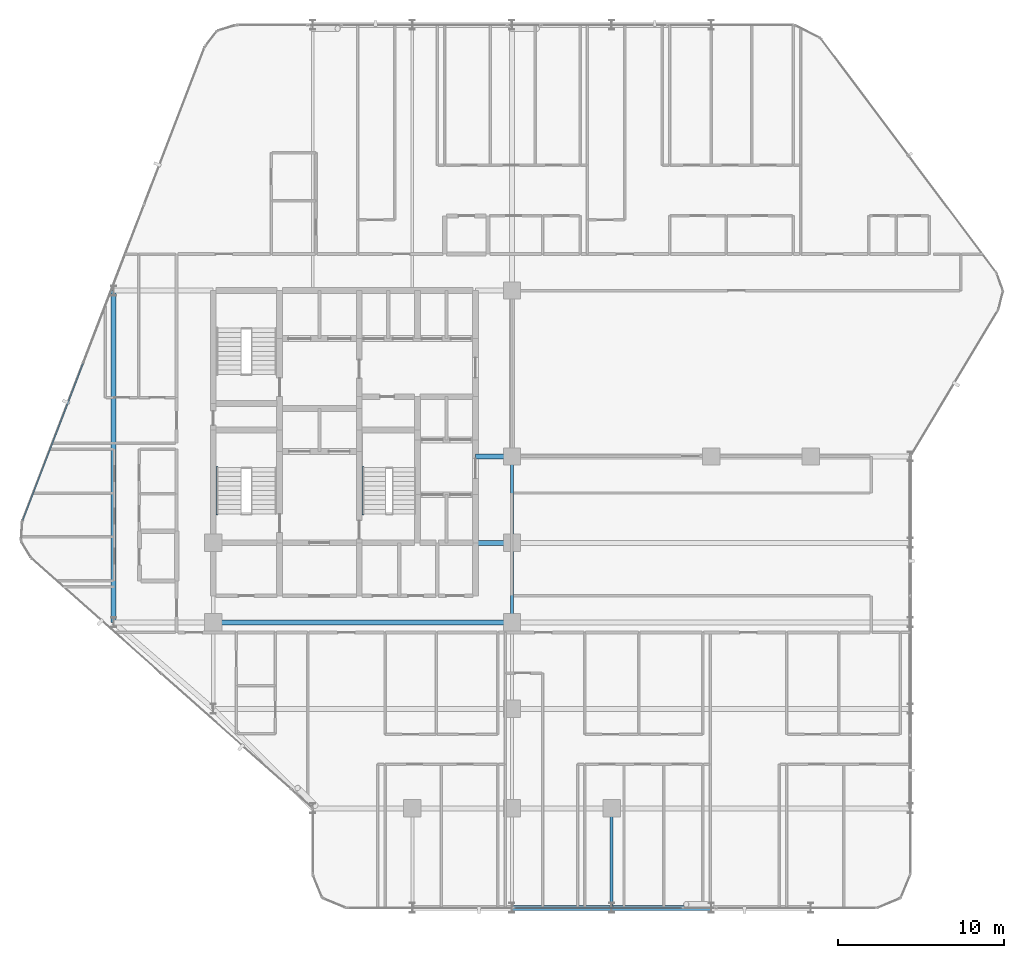
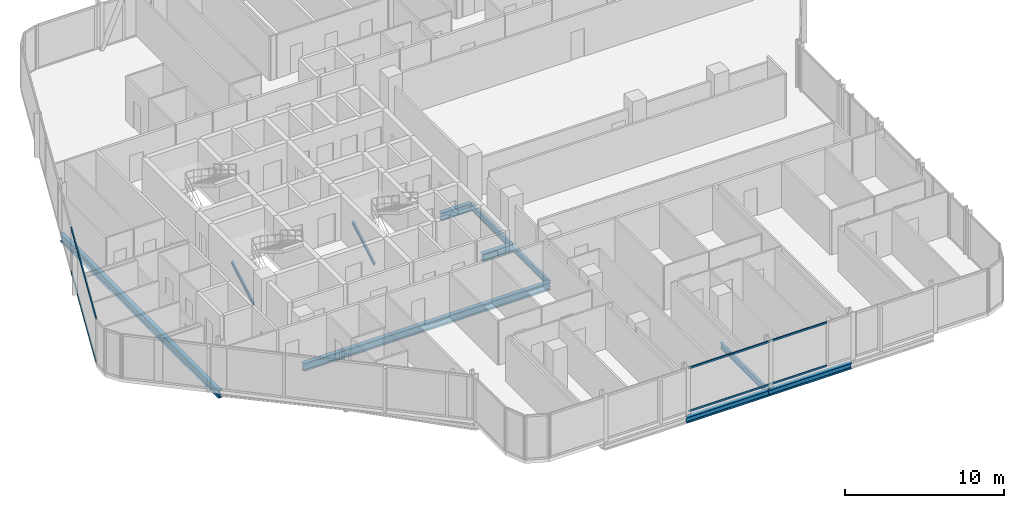
# One storey, part 7 of 29: 9 beams, 6 members, 2 elements without a shape of their own.
"""IFC4 building model written with IfcOpenShell, lengths in metres."""

from ifc_helpers import new_model, si_unit, direction, frame, origin, origin_2d, place, context, subcontext, project, spatial, hollow_rectangle, i_section, extrude, material, layer, layer_set, material_profile, profile_set, type_object, element, aggregate, save


model = new_model("IFC4")

# Units and contexts
model_context = context("Model", 3, precision=1e-05, world=origin(), true_north=direction((0.0, 1.0)))
body_context = subcontext(model_context, "Body", "Model", "MODEL_VIEW")
ifc_project = project(units=[si_unit("LENGTHUNIT", "METRE"), si_unit("AREAUNIT", "SQUARE_METRE"), si_unit("VOLUMEUNIT", "CUBIC_METRE"), si_unit("PLANEANGLEUNIT", "RADIAN"), si_unit("MASSUNIT", "GRAM", prefix="KILO")], contexts=[model_context])

# Site, building, storey
site_placement = place(None, origin())
site = spatial("IfcSite", under=ifc_project, at=site_placement, CompositionType="ELEMENT")
building_placement = place(site_placement, origin())
building = spatial("IfcBuilding", under=site, at=building_placement, Name="Keshet Zoharim Tower", CompositionType="ELEMENT")
storey_placement = place(building_placement, frame((0.0, 0.0, 94.60009765625)))
storey = spatial("IfcBuildingStorey", under=building, at=storey_placement, Name="L22", CompositionType="ELEMENT", Elevation=94.60009765625)

# Beams
ifc_material_1 = material(Name="Steel S355", Category="steel")
ifc_material_profile_1 = material_profile(ifc_material_1, i_section(OverallWidth=0.300048828125, OverallDepth=0.60009765625, WebThickness=0.015380859375, FlangeThickness=0.030029296875, FilletRadius=0.027099609375, at=origin_2d()), Name="HEB600")
ifc_profile_set_1 = profile_set([ifc_material_profile_1], Name="Steel S355")
beam_type_1 = type_object("IfcBeamType", Name="BM-CLK-HB600", PredefinedType="BEAM", material=ifc_profile_set_1)
for number, where, z_axis, x_axis, name in (
    (1, (30.800048828125, 22.699951171875, -0.614990234375), (1.0, 0.0, 0.0), (0.0, 1.0, 0.0), "L22 Core Wall Link Girder 01"),
    (2, (30.800048828125, 27.89990234375, -0.614990234375), (1.0, 0.0, 0.0), (0.0, 1.0, 0.0), "L22 Core Wall Link Girder 02"),
):
    element("IfcBeam", number, at=place(storey_placement, frame(where, z_axis=z_axis, x_axis=x_axis)), inside=storey, type_object=beam_type_1, Name=name, PredefinedType="BEAM", context=body_context, shape_type="SweptSolid", body=[
        extrude(i_section(OverallWidth=0.300048828125, OverallDepth=0.60009765625, WebThickness=0.015380859375, FlangeThickness=0.030029296875, FilletRadius=0.027099609375, at=origin_2d()), origin(), (0.0, 0.0, 1.0), 2.199951171875),
    ])
ifc_material_profile_2 = material_profile(ifc_material_1, i_section(OverallWidth=0.300048828125, OverallDepth=0.60009765625, WebThickness=0.015380859375, FlangeThickness=0.030029296875, FilletRadius=0.027099609375, at=origin_2d()), Name="HEB600")
ifc_profile_set_2 = profile_set([ifc_material_profile_2], Name="Steel S355")
beam_type_2 = type_object("IfcBeamType", Name="BM-LNG-HB600", PredefinedType="BEAM", material=ifc_profile_set_2)
beam_1_placement = place(storey_placement, frame((15.0, 17.89990234375, -0.614990234375), z_axis=(1.0, 0.0, 0.0), x_axis=(0.0, 1.0, 0.0)))
element("IfcBeam", 3, at=beam_1_placement, inside=storey, type_object=beam_type_2, Name="L22 Primary Girder X-012", PredefinedType="BEAM", context=body_context, shape_type="SweptSolid", body=[
    extrude(i_section(OverallWidth=0.300048828125, OverallDepth=0.60009765625, WebThickness=0.015380859375, FlangeThickness=0.030029296875, FilletRadius=0.027099609375, at=origin_2d()), origin(), (0.0, 0.0, 1.0), 18.0),
])
beam_2_placement = place(storey_placement, frame((9.0, 17.89990234375, -0.614990234375), z_axis=(0.0, 1.0, 0.0), x_axis=(-1.0, 0.0, 0.0)))
element("IfcBeam", 4, at=beam_2_placement, inside=storey, type_object=beam_type_2, Name="L22 Primary Girder Y-001", PredefinedType="BEAM", context=body_context, shape_type="SweptSolid", body=[
    extrude(i_section(OverallWidth=0.300048828125, OverallDepth=0.60009765625, WebThickness=0.015380859375, FlangeThickness=0.030029296875, FilletRadius=0.027099609375, at=origin_2d()), origin(), (0.0, 0.0, 1.0), 20.0),
])
ifc_material_profile_3 = material_profile(ifc_material_1, i_section(OverallWidth=0.18994140625, OverallDepth=0.449951171875, WebThickness=0.009521484375, FlangeThickness=0.0146484375, FilletRadius=0.02099609375, at=origin_2d()), Name="IPE450")
ifc_profile_set_3 = profile_set([ifc_material_profile_3], Name="Steel S355")
beam_type_3 = type_object("IfcBeamType", Name="BM-PRI-IP450", PredefinedType="BEAM", material=ifc_profile_set_3)
beam_3_placement = place(storey_placement, frame((33.0, 17.89990234375, -0.5400390625), z_axis=(0.0, 1.0, 0.0), x_axis=(-1.0, 0.0, 0.0)))
element("IfcBeam", 5, at=beam_3_placement, inside=storey, type_object=beam_type_3, Name="L22 Primary Girder Y-008", PredefinedType="BEAM", context=body_context, shape_type="SweptSolid", body=[
    extrude(i_section(OverallWidth=0.18994140625, OverallDepth=0.449951171875, WebThickness=0.009521484375, FlangeThickness=0.0146484375, FilletRadius=0.02099609375, at=origin_2d()), origin(), (0.0, 0.0, 1.0), 4.800048828125),
])
beam_4_placement = place(storey_placement, frame((33.0, 22.699951171875, -0.5400390625), z_axis=(0.0, 1.0, 0.0), x_axis=(-1.0, 0.0, 0.0)))
element("IfcBeam", 6, at=beam_4_placement, inside=storey, type_object=beam_type_3, Name="L22 Primary Girder Y-009", PredefinedType="BEAM", context=body_context, shape_type="SweptSolid", body=[
    extrude(i_section(OverallWidth=0.18994140625, OverallDepth=0.449951171875, WebThickness=0.009521484375, FlangeThickness=0.0146484375, FilletRadius=0.02099609375, at=origin_2d()), origin(), (0.0, 0.0, 1.0), 5.199951171875),
])
beam_5_placement = place(storey_placement, frame((39.0, 0.699951171875, -0.5400390625), z_axis=(0.0, 1.0, 0.0), x_axis=(-1.0, 0.0, 0.0)))
element("IfcBeam", 7, at=beam_5_placement, inside=storey, type_object=beam_type_3, Name="L22 Primary Girder Y-012", PredefinedType="BEAM", context=body_context, shape_type="SweptSolid", body=[
    extrude(i_section(OverallWidth=0.18994140625, OverallDepth=0.449951171875, WebThickness=0.009521484375, FlangeThickness=0.0146484375, FilletRadius=0.02099609375, at=origin_2d()), origin(), (0.0, 0.0, 1.0), 6.0),
])
ifc_material_profile_4 = material_profile(ifc_material_1, i_section(OverallWidth=0.300048828125, OverallDepth=0.449951171875, WebThickness=0.013916015625, FlangeThickness=0.02587890625, FilletRadius=0.027099609375, at=origin_2d()), Name="HEB450")
ifc_profile_set_4 = profile_set([ifc_material_profile_4], Name="Steel S355")
beam_type_4 = type_object("IfcBeamType", Name="BM-WEB-HB450", PredefinedType="BEAM", material=ifc_profile_set_4)
for number, where, z_axis, x_axis, name in (
    (8, (33.0, 0.699951171875, -0.5400390625), (1.0, 0.0, 0.0), (0.0, 1.0, 0.0), "L22 Primary Girder X-002"),
    (9, (39.0, 0.699951171875, -0.5400390625), (1.0, 0.0, 0.0), (0.0, 1.0, 0.0), "L22 Primary Girder X-003"),
):
    element("IfcBeam", number, at=place(storey_placement, frame(where, z_axis=z_axis, x_axis=x_axis)), inside=storey, type_object=beam_type_4, Name=name, PredefinedType="BEAM", context=body_context, shape_type="SweptSolid", body=[
        extrude(i_section(OverallWidth=0.300048828125, OverallDepth=0.449951171875, WebThickness=0.013916015625, FlangeThickness=0.02587890625, FilletRadius=0.027099609375, at=origin_2d()), origin(), (0.0, 0.0, 1.0), 6.0),
    ])

# Curtain wall, members
ifc_material_2 = material(Name="Aluminium 6063-T6", Category="aluminium")
ifc_layer = layer(ifc_material_2, 0.159912109375)
ifc_layer_set = layer_set([ifc_layer], Name="Aluminium 6063-T6")
curtain_wall_type = type_object("IfcCurtainWallType", Name="CW-SYS-03", PredefinedType="NOTDEFINED", material=ifc_layer_set)
curtain_wall_1_placement = place(storey_placement, origin())
curtain_wall_1 = element("IfcCurtainWall", 10, at=curtain_wall_1_placement, inside=storey, type_object=curtain_wall_type, Name="L22 Unitised Curtain Wall 03 Part 3", PredefinedType="NOTDEFINED")
ifc_material_profile_5 = material_profile(ifc_material_2, hollow_rectangle(XDim=0.080078125, YDim=0.139892578125, WallThickness=0.00390625, at=origin_2d()), Name="TRN-80x140")
ifc_profile_set_5 = profile_set([ifc_material_profile_5], Name="Aluminium 6063-T6")
member_type_1 = type_object("IfcMemberType", Name="CWT-T14", PredefinedType="USERDEFINED", material=ifc_profile_set_5)
member_1_placement = place(storey_placement, frame((43.2373046875, 0.699951171875, 0.034912109375), z_axis=(-1.0, 0.0, 0.0), x_axis=(0.0, -1.0, 0.0)))
member_1 = element("IfcMember", 11, at=member_1_placement, type_object=member_type_1, Name="CW-03 transom 1.1", ObjectType="TRANSOM", PredefinedType="USERDEFINED", context=body_context, shape_type="SweptSolid", body=[
    extrude(hollow_rectangle(XDim=0.080078125, YDim=0.139892578125, WallThickness=0.00390625, at=origin_2d()), origin(), (0.0, 0.0, 1.0), 10.08349609375),
])
member_2_placement = place(storey_placement, frame((43.2373046875, 0.699951171875, 3.349853515625), z_axis=(-1.0, 0.0, 0.0), x_axis=(0.0, -1.0, 0.0)))
member_2 = element("IfcMember", 12, at=member_2_placement, type_object=member_type_1, Name="CW-03 transom 1.2", ObjectType="TRANSOM", PredefinedType="USERDEFINED", context=body_context, shape_type="SweptSolid", body=[
    extrude(hollow_rectangle(XDim=0.080078125, YDim=0.139892578125, WallThickness=0.00390625, at=origin_2d()), origin(), (0.0, 0.0, 1.0), 10.08349609375),
])
aggregate(curtain_wall_1, [member_1, member_2])

curtain_wall_2_placement = place(storey_placement, origin())
curtain_wall_2 = element("IfcCurtainWall", 13, at=curtain_wall_2_placement, inside=storey, type_object=curtain_wall_type, Name="L22 Unitised Curtain Wall 10", PredefinedType="NOTDEFINED")
member_3_placement = place(storey_placement, frame((3.522216796875, 24.058349609375, 0.034912109375), z_axis=(0.358993631387, 0.93334000912, 0.0), x_axis=(-0.93334000912, 0.358993631387, 0.0)))
member_3 = element("IfcMember", 14, at=member_3_placement, type_object=member_type_1, Name="CW-03 transom 1.1", ObjectType="TRANSOM", PredefinedType="USERDEFINED", context=body_context, shape_type="SweptSolid", body=[
    extrude(hollow_rectangle(XDim=0.080078125, YDim=0.139892578125, WallThickness=0.00390625, at=origin_2d()), origin(), (0.0, 0.0, 1.0), 10.1181640625),
])
member_4_placement = place(storey_placement, frame((3.522216796875, 24.058349609375, 3.349853515625), z_axis=(0.358993631387, 0.93334000912, 0.0), x_axis=(-0.93334000912, 0.358993631387, 0.0)))
member_4 = element("IfcMember", 15, at=member_4_placement, type_object=member_type_1, Name="CW-03 transom 1.2", ObjectType="TRANSOM", PredefinedType="USERDEFINED", context=body_context, shape_type="SweptSolid", body=[
    extrude(hollow_rectangle(XDim=0.080078125, YDim=0.139892578125, WallThickness=0.00390625, at=origin_2d()), origin(), (0.0, 0.0, 1.0), 10.1181640625),
])
aggregate(curtain_wall_2, [member_3, member_4])

# Members
ifc_material_profile_6 = material_profile(ifc_material_1, i_section(OverallWidth=0.1201171875, OverallDepth=0.239990234375, WebThickness=0.006103515625, FlangeThickness=0.009765625, FilletRadius=0.014892578125, at=origin_2d()), Name="IPE240")
ifc_profile_set_6 = profile_set([ifc_material_profile_6], Name="Steel S355")
member_type_2 = type_object("IfcMemberType", Name="MB-STRG-IP240", PredefinedType="STRINGER", material=ifc_profile_set_6)
for number, where, z_axis, x_axis, name in (
    (16, (15.22998046875, 24.43994140625, 0.119873046875), (0.0, 0.86689568745, 0.49848958573), (-1.0, 0.0, 0.0), "L22 ST-01 Flight Steel Stringer"),
    (17, (24.030029296875, 24.43994140625, 0.119873046875), (0.0, 0.86689568745, 0.49848958573), (-1.0, 0.0, 0.0), "L22 ST-03 Flight Steel Stringer"),
):
    element("IfcMember", number, at=place(storey_placement, frame(where, z_axis=z_axis, x_axis=x_axis)), inside=storey, type_object=member_type_2, Name=name, PredefinedType="STRINGER", context=body_context, shape_type="SweptSolid", body=[
        extrude(i_section(OverallWidth=0.1201171875, OverallDepth=0.239990234375, WebThickness=0.006103515625, FlangeThickness=0.009765625, FilletRadius=0.014892578125, at=origin_2d()), origin(), (0.0, 0.0, 1.0), 3.22998046875),
    ])

save(model, "model.ifc")
